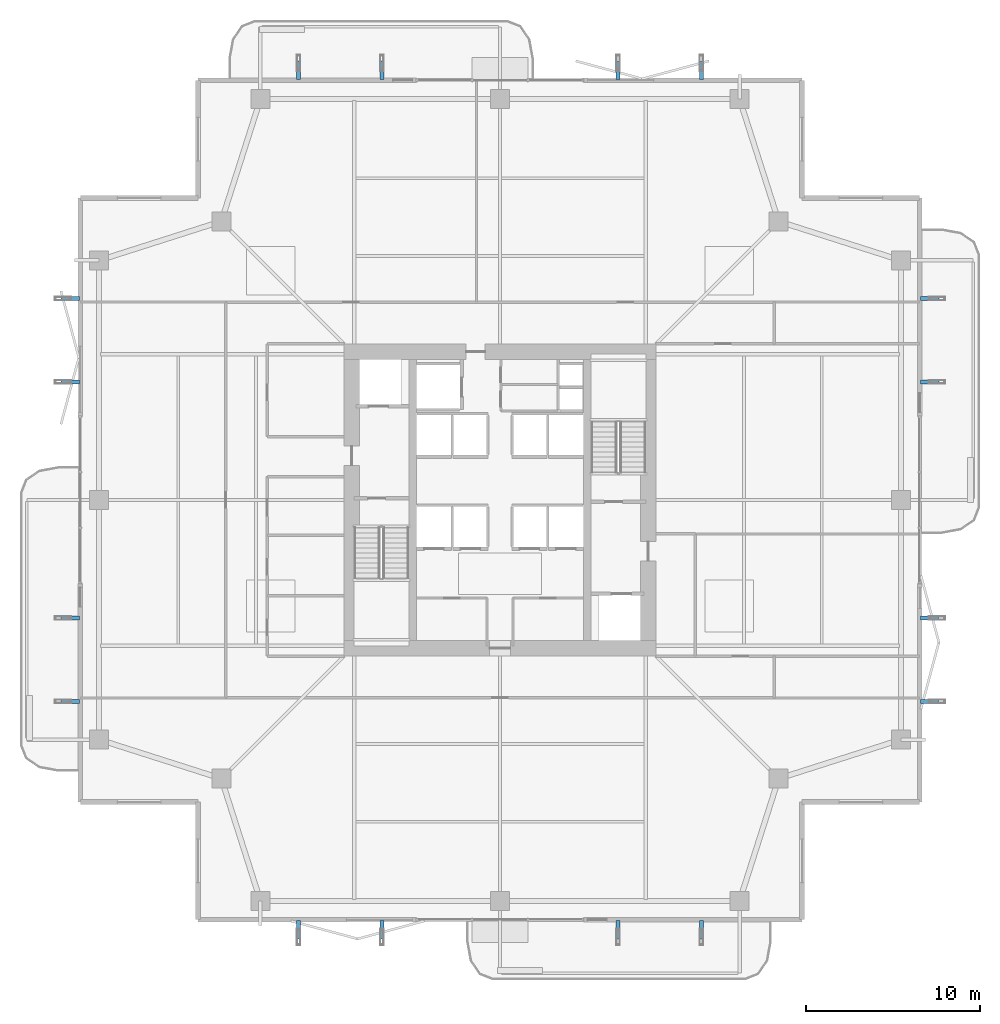
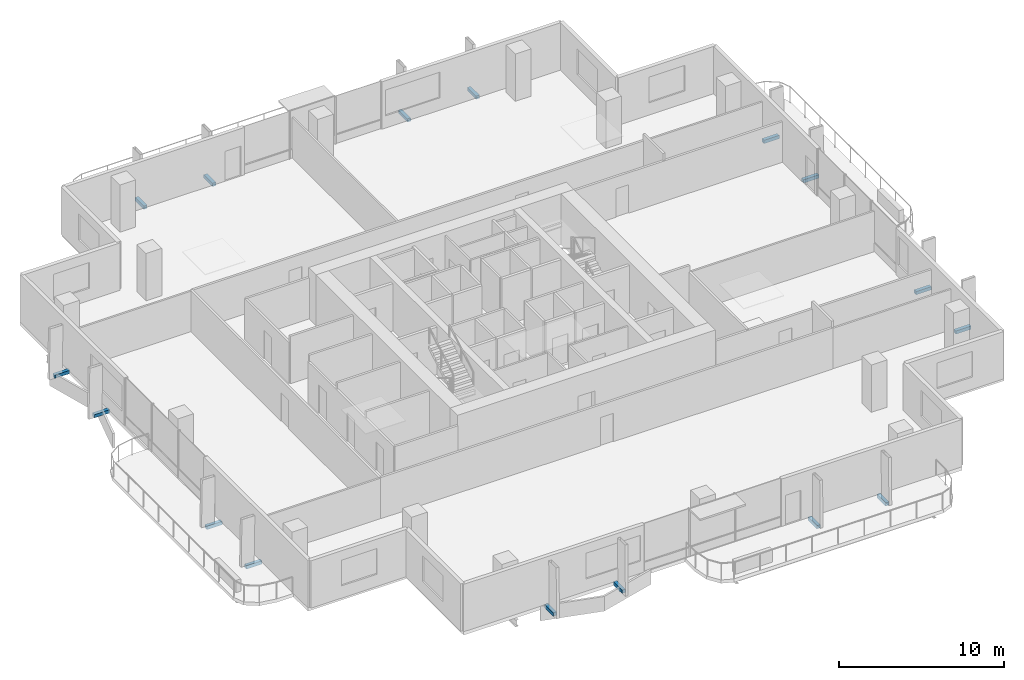
# One storey, part 21 of 25: 16 discrete accessories.
"""IFC4 building model written with IfcOpenShell, lengths in metres."""

from ifc_helpers import new_model, si_unit, direction, frame, origin, origin_2d, place, context, subcontext, project, spatial, rectangle, extrude, material, layer, layer_set, type_object, element, save


model = new_model("IFC4")

# Units and contexts
model_context = context("Model", 3, precision=1e-05, world=origin(), true_north=direction((0.0, 1.0)))
body_context = subcontext(model_context, "Body", "Model", "MODEL_VIEW")
ifc_project = project(units=[si_unit("LENGTHUNIT", "METRE"), si_unit("AREAUNIT", "SQUARE_METRE"), si_unit("VOLUMEUNIT", "CUBIC_METRE"), si_unit("PLANEANGLEUNIT", "RADIAN"), si_unit("MASSUNIT", "GRAM", prefix="KILO")], contexts=[model_context])

# Site, building, storey
site_placement = place(None, origin())
site = spatial("IfcSite", under=ifc_project, at=site_placement, CompositionType="ELEMENT")
building_placement = place(site_placement, origin())
building = spatial("IfcBuilding", under=site, at=building_placement, Name="Belovzor Exchange Tower", CompositionType="ELEMENT")
storey_placement = place(building_placement, frame((0.0, 0.0, 175.800048828125)))
storey = spatial("IfcBuildingStorey", under=building, at=storey_placement, Name="L43", CompositionType="ELEMENT", Elevation=175.800048828125)

# Discrete accessories
ifc_material = material(Name="Stainless Steel Grade 316", Category="steel")
ifc_layer = layer(ifc_material, 0.179931640625)
ifc_layer_set = layer_set([ifc_layer], Name="Stainless Steel Grade 316")
discrete_accessory_type = type_object("IfcDiscreteAccessoryType", Name="Stainless Steel Facade Outrigger Fixing Bracket", PredefinedType="BRACKET", material=ifc_layer_set)
for number, where, z_axis, x_axis, name in (
    (1, (17.199951171875, 4.044921875, -0.2470703125), (0.0, 0.0, 1.0), (0.0, 1.0, 0.0), "BRK-FIN1 Sweeping Fin Outrigger Bracket L43 S1"),
    (2, (17.199951171875, 53.555908203125, -0.2470703125), (0.0, 0.0, 1.0), (0.0, 1.0, 0.0), "BRK-FIN1 Sweeping Fin Outrigger Bracket L43 N1"),
    (3, (4.044921875, 17.199951171875, -0.2470703125), (0.0, 0.0, 1.0), (1.0, 0.0, 0.0), "BRK-FIN1 Sweeping Fin Outrigger Bracket L43 W1"),
    (4, (53.555908203125, 17.199951171875, -0.2470703125), (0.0, 0.0, 1.0), (1.0, 0.0, 0.0), "BRK-FIN1 Sweeping Fin Outrigger Bracket L43 E1"),
    (5, (22.0, 4.044921875, -0.2470703125), (0.0, 0.0, 1.0), (0.0, 1.0, 0.0), "BRK-FIN1 Sweeping Fin Outrigger Bracket L43 S2"),
    (6, (22.0, 53.555908203125, -0.2470703125), (0.0, 0.0, 1.0), (0.0, 1.0, 0.0), "BRK-FIN1 Sweeping Fin Outrigger Bracket L43 N2"),
    (7, (4.044921875, 22.0, -0.2470703125), (0.0, 0.0, 1.0), (1.0, 0.0, 0.0), "BRK-FIN1 Sweeping Fin Outrigger Bracket L43 W2"),
    (8, (53.555908203125, 22.0, -0.2470703125), (0.0, 0.0, 1.0), (1.0, 0.0, 0.0), "BRK-FIN1 Sweeping Fin Outrigger Bracket L43 E2"),
    (9, (35.60009765625, 4.044921875, -0.2470703125), (0.0, 0.0, 1.0), (0.0, 1.0, 0.0), "BRK-FIN1 Sweeping Fin Outrigger Bracket L43 S3"),
    (10, (35.60009765625, 53.555908203125, -0.2470703125), (0.0, 0.0, 1.0), (0.0, 1.0, 0.0), "BRK-FIN1 Sweeping Fin Outrigger Bracket L43 N3"),
    (11, (4.044921875, 35.60009765625, -0.2470703125), (0.0, 0.0, 1.0), (1.0, 0.0, 0.0), "BRK-FIN1 Sweeping Fin Outrigger Bracket L43 W3"),
    (12, (53.555908203125, 35.60009765625, -0.2470703125), (0.0, 0.0, 1.0), (1.0, 0.0, 0.0), "BRK-FIN1 Sweeping Fin Outrigger Bracket L43 E3"),
    (13, (40.39990234375, 4.044921875, -0.2470703125), (0.0, 0.0, 1.0), (0.0, 1.0, 0.0), "BRK-FIN1 Sweeping Fin Outrigger Bracket L43 S4"),
    (14, (40.39990234375, 53.555908203125, -0.2470703125), (0.0, 0.0, 1.0), (0.0, 1.0, 0.0), "BRK-FIN1 Sweeping Fin Outrigger Bracket L43 N4"),
    (15, (4.044921875, 40.39990234375, -0.2470703125), (0.0, 0.0, 1.0), (1.0, 0.0, 0.0), "BRK-FIN1 Sweeping Fin Outrigger Bracket L43 W4"),
    (16, (53.555908203125, 40.39990234375, -0.2470703125), (0.0, 0.0, 1.0), (1.0, 0.0, 0.0), "BRK-FIN1 Sweeping Fin Outrigger Bracket L43 E4"),
):
    element("IfcDiscreteAccessory", number, at=place(storey_placement, frame(where, z_axis=z_axis, x_axis=x_axis)), inside=storey, type_object=discrete_accessory_type, Name=name, PredefinedType="BRACKET", context=body_context, shape_type="SweptSolid", body=[
        extrude(rectangle(XDim=1.071044921875, YDim=0.239990234375, at=origin_2d()), origin(), (0.0, 0.0, 1.0), 0.239990234375),
    ])

save(model, "model.ifc")
